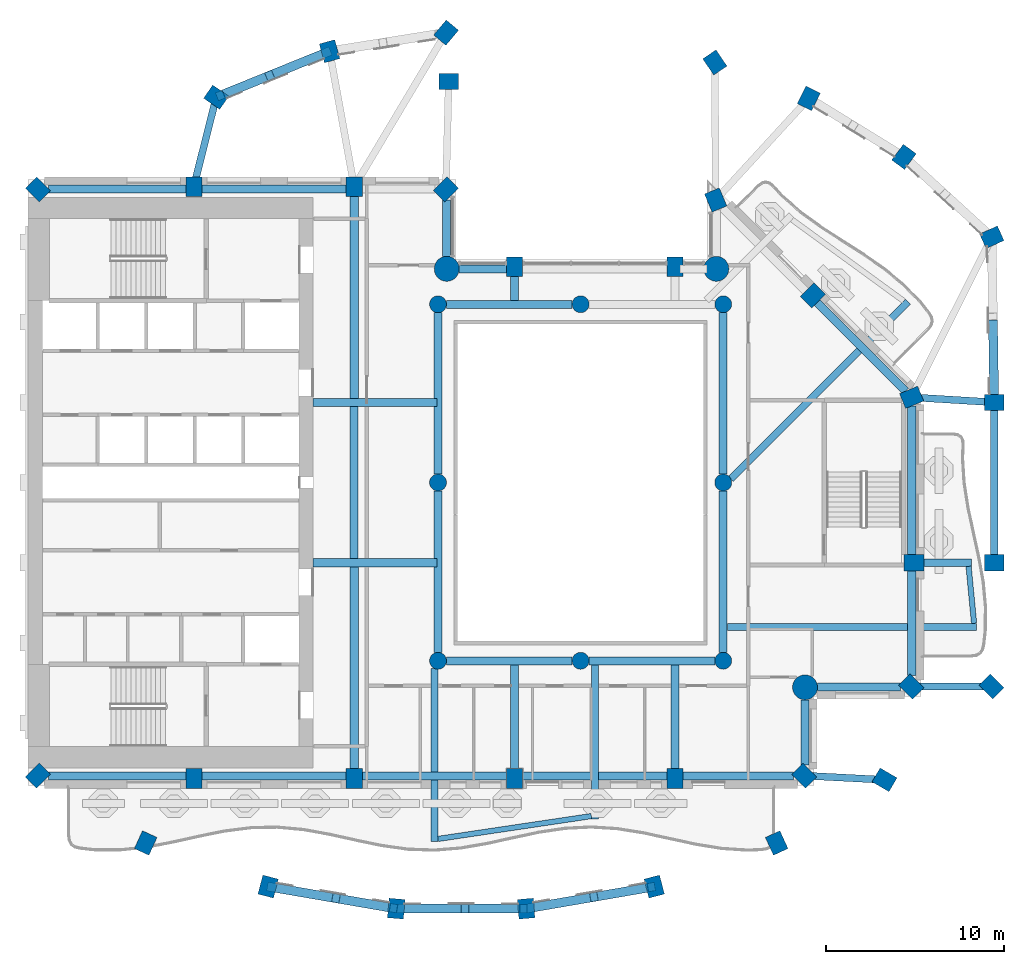
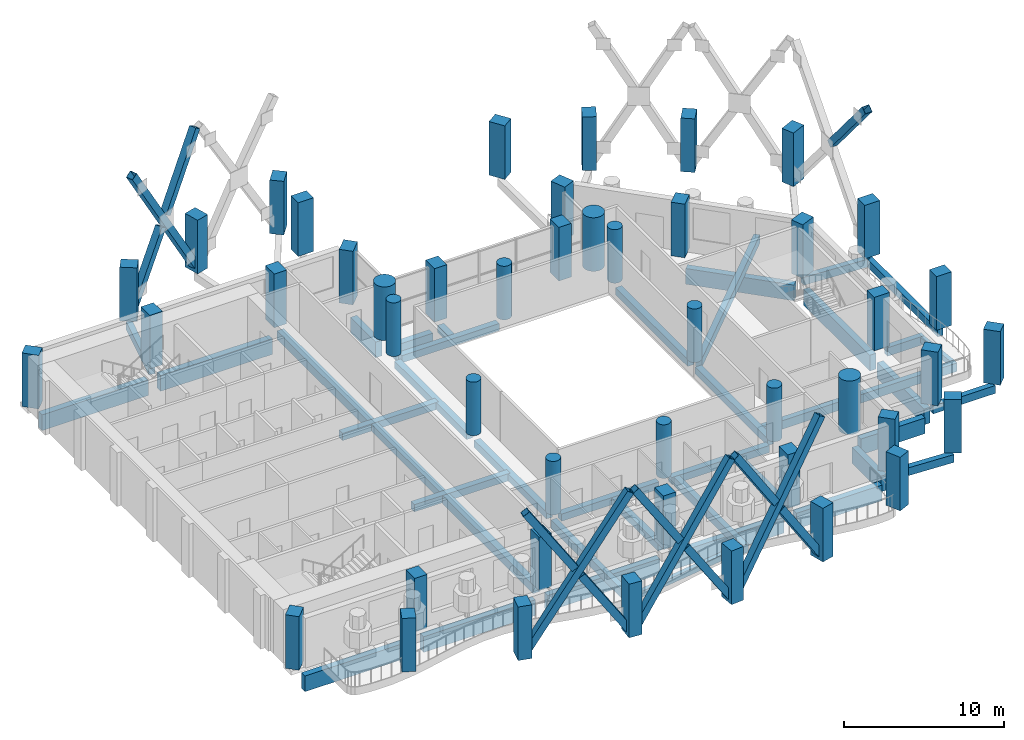
# One storey, part 1 of 16: 46 columns, 41 beams, 13 members.
"""IFC4 building model written with IfcOpenShell, lengths in metres."""

from ifc_helpers import new_model, si_unit, direction, frame, origin, origin_2d, place, context, subcontext, project, spatial, rectangle, hollow_rectangle, circle, extrude, material, material_profile, profile_set, type_object, element, save


model = new_model("IFC4")

# Units and contexts
model_context = context("Model", 3, precision=1e-05, world=origin(), true_north=direction((0.0, 1.0)))
body_context = subcontext(model_context, "Body", "Model", "MODEL_VIEW")
ifc_project = project(units=[si_unit("LENGTHUNIT", "METRE"), si_unit("AREAUNIT", "SQUARE_METRE"), si_unit("VOLUMEUNIT", "CUBIC_METRE"), si_unit("PLANEANGLEUNIT", "RADIAN"), si_unit("MASSUNIT", "GRAM", prefix="KILO")], contexts=[model_context])

# Site, building, storey
site_placement = place(None, origin())
site = spatial("IfcSite", under=ifc_project, at=site_placement, CompositionType="ELEMENT")
building_placement = place(site_placement, origin())
building = spatial("IfcBuilding", under=site, at=building_placement, Name="Cypress Arch Tower", CompositionType="ELEMENT")
storey_placement = place(building_placement, frame((0.0, 0.0, 168.699951171875)))
storey = spatial("IfcBuildingStorey", under=building, at=storey_placement, Name="L36", CompositionType="ELEMENT", Elevation=168.699951171875)

# Columns
ifc_material_1 = material(Name="Concrete C70/85", Category="concrete")
ifc_material_profile_1 = material_profile(ifc_material_1, rectangle(XDim=0.89990234375, YDim=1.10009765625, at=origin_2d()), Name="RC 900x1100")
ifc_profile_set_1 = profile_set([ifc_material_profile_1], Name="Concrete C70/85")
column_type_1 = type_object("IfcColumnType", Name="Column RC 900x1100 Concrete C70/85", PredefinedType="COLUMN", material=ifc_profile_set_1)
for number, where, z_axis, x_axis, name in (
    (1, (-29.44287109375, 16.44287109375, 0.0), (0.0, 0.0, 1.0), (-0.707106781187, -0.707106781187, 0.0), "Column L36 CB00"),
    (2, (-29.44287109375, -16.44287109375, 0.0), (0.0, 0.0, 1.0), (0.707106781187, -0.707106781187, 0.0), "Column L36 CB01"),
    (3, (-20.699951171875, -16.60009765625, 0.0), (0.0, 0.0, 1.0), (1.0, 0.0, 0.0), "Column L36 CB02"),
    (4, (-11.699951171875, -16.60009765625, 0.0), (0.0, 0.0, 1.0), (1.0, 0.0, 0.0), "Column L36 CB03"),
    (5, (-2.699951171875, -16.60009765625, 0.0), (0.0, 0.0, 1.0), (1.0, 0.0, 0.0), "Column L36 CB04"),
    (6, (6.300048828125, -16.60009765625, 0.0), (0.0, 0.0, 1.0), (1.0, 0.0, 0.0), "Column L36 CB05"),
    (7, (13.54296875, -16.44287109375, 0.0), (0.0, 0.0, 1.0), (0.707106781187, 0.707106781187, 0.0), "Column L36 CB06"),
    (8, (19.54296875, -11.44287109375, 0.0), (0.0, 0.0, 1.0), (0.707106781187, 0.707106781187, 0.0), "Column L36 CB08"),
    (9, (19.699951171875, -4.5, 0.0), (0.0, 0.0, 1.0), (0.0, 1.0, 0.0), "Column L36 CB09"),
    (10, (19.569580078125, 4.7802734375, 0.0), (0.0, 0.0, 1.0), (-0.382683496864, 0.923879505795, 0.0), "Column L36 CB10"),
    (11, (14.029296875, 10.505126953125, 0.0), (0.0, 0.0, 1.0), (-0.707106781187, 0.707106781187, 0.0), "Column L36 CB11"),
    (12, (8.576171875, 15.850341796875, 0.0), (0.0, 0.0, 1.0), (-0.923879672772, -0.382683093746, 0.0), "Column L36 CB12"),
    (13, (6.300048828125, 12.10009765625, 0.0), (0.0, 0.0, 1.0), (-1.0, 0.0, 0.0), "Column L36 CB14"),
    (14, (-2.699951171875, 12.10009765625, 0.0), (0.0, 0.0, 1.0), (-1.0, 0.0, 0.0), "Column L36 CB15"),
    (15, (-6.55712890625, 16.44287109375, 0.0), (0.0, 0.0, 1.0), (-0.707106781187, 0.707106781187, 0.0), "Column L36 CB17"),
    (16, (-11.699951171875, 16.60009765625, 0.0), (0.0, 0.0, 1.0), (-1.0, 0.0, 0.0), "Column L36 CB18"),
    (17, (-20.699951171875, 16.60009765625, 0.0), (0.0, 0.0, 1.0), (-1.0, 0.0, 0.0), "Column L36 CB19"),
    (18, (8.53076171875, 23.564697265625, 0.0), (0.0, 0.0, 1.0), (-0.828469606019, -0.560034027451, 0.0), "Column L36 CQ00"),
    (19, (-6.39990234375, 22.5, 0.0), (0.0, 0.0, 1.0), (0.0, 1.0, 0.0), "Column L36 CQ01"),
    (20, (-6.54833984375, 25.236572265625, 0.0), (0.0, 0.0, 1.0), (-0.766063514674, 0.642764880407, 0.0), "Column L36 CQ02"),
    (21, (-13.081298828125, 24.193359375, 0.0), (0.0, 0.0, 1.0), (-0.96345574646, -0.267867550506, 0.0), "Column L36 CQ03"),
    (22, (-19.44189453125, 21.616943359375, 0.0), (0.0, 0.0, 1.0), (-0.565892599589, -0.824478966215, 0.0), "Column L36 CQ04"),
    (23, (-23.398193359375, -20.221435546875, 0.0), (0.0, 0.0, 1.0), (0.909932071487, -0.414757308891, 0.0), "Column L36 CQ05"),
    (24, (-16.529052734375, -22.666259765625, 0.0), (0.0, 0.0, 1.0), (0.96735573689, -0.2534223319, 0.0), "Column L36 CQ06"),
    (25, (-9.3427734375, -23.903564453125, 0.0), (0.0, 0.0, 1.0), (0.996368206733, -0.085149260784, 0.0), "Column L36 CQ07"),
    (26, (-2.057373046875, -23.903564453125, 0.0), (0.0, 0.0, 1.0), (0.996368206733, 0.085149260784, 0.0), "Column L36 CQ08"),
    (27, (5.12890625, -22.666259765625, 0.0), (0.0, 0.0, 1.0), (0.96735573689, 0.2534223319, 0.0), "Column L36 CQ09"),
    (28, (11.998291015625, -20.221435546875, 0.0), (0.0, 0.0, 1.0), (0.909932071487, 0.414757308891, 0.0), "Column L36 CQ10"),
    (29, (18.048095703125, -16.677490234375, 0.0), (0.0, 0.0, 1.0), (0.504399289829, 0.86347053014, 0.0), "Column L36 CQ11"),
    (30, (24.04296875, -11.44287109375, 0.0), (0.0, 0.0, 1.0), (0.707106781187, 0.707106781187, 0.0), "Column L36 CQ12"),
    (31, (24.199951171875, -4.5, 0.0), (0.0, 0.0, 1.0), (0.0, 1.0, 0.0), "Column L36 CQ13"),
    (32, (24.199951171875, 4.5, 0.0), (0.0, 0.0, 1.0), (0.0, 1.0, 0.0), "Column L36 CQ14"),
    (33, (24.06396484375, 13.75927734375, 0.0), (0.0, 0.0, 1.0), (-0.409765058504, 0.912191096662, 0.0), "Column L36 CQ15"),
    (34, (19.13818359375, 18.267578125, 0.0), (0.0, 0.0, 1.0), (-0.802798546114, 0.596250362144, 0.0), "Column L36 CQ16"),
    (35, (13.80322265625, 21.549072265625, 0.0), (0.0, 0.0, 1.0), (-0.893106499805, 0.44984528452, 0.0), "Column L36 CQ17"),
):
    element("IfcColumn", number, at=place(storey_placement, frame(where, z_axis=z_axis, x_axis=x_axis)), inside=storey, type_object=column_type_1, Name=name, PredefinedType="COLUMN", context=body_context, shape_type="SweptSolid", body=[
        extrude(rectangle(XDim=0.89990234375, YDim=1.10009765625, at=origin_2d()), origin(), (0.0, 0.0, 1.0), 4.10009765625),
    ])
ifc_material_2 = material(Name="Concrete C70/85", Category="concrete")
ifc_material_profile_2 = material_profile(ifc_material_2, circle(Radius=0.47509765625, at=origin_2d()), Name="RC D950")
ifc_profile_set_2 = profile_set([ifc_material_profile_2], Name="Concrete C70/85")
column_type_2 = type_object("IfcColumnType", Name="Column RC D950 Concrete C70/85", PredefinedType="COLUMN", material=ifc_profile_set_2)
for number, where, z_axis, x_axis, name in (
    (36, (-7.0, -10.0, 0.0), (0.0, 0.0, 1.0), (1.0, 0.0, 0.0), "Column L36 RNG-L36-G-7-10"),
    (37, (-7.0, 0.0, 0.0), (0.0, 0.0, 1.0), (1.0, 0.0, 0.0), "Column L36 RNG-L36-G-7+0"),
    (38, (-7.0, 10.0, 0.0), (0.0, 0.0, 1.0), (1.0, 0.0, 0.0), "Column L36 RNG-L36-G-7+10"),
    (39, (1.0, -10.0, 0.0), (0.0, 0.0, 1.0), (1.0, 0.0, 0.0), "Column L36 RNG-L36-G+1-10"),
    (40, (1.0, 10.0, 0.0), (0.0, 0.0, 1.0), (1.0, 0.0, 0.0), "Column L36 RNG-L36-G+1+10"),
    (41, (9.0, -10.0, 0.0), (0.0, 0.0, 1.0), (1.0, 0.0, 0.0), "Column L36 RNG-L36-G+9-10"),
    (42, (9.0, 0.0, 0.0), (0.0, 0.0, 1.0), (1.0, 0.0, 0.0), "Column L36 RNG-L36-G+9+0"),
    (43, (9.0, 10.0, 0.0), (0.0, 0.0, 1.0), (1.0, 0.0, 0.0), "Column L36 RNG-L36-G+9+10"),
):
    element("IfcColumn", number, at=place(storey_placement, frame(where, z_axis=z_axis, x_axis=x_axis)), inside=storey, type_object=column_type_2, Name=name, PredefinedType="COLUMN", context=body_context, shape_type="SweptSolid", body=[
        extrude(circle(Radius=0.47509765625, at=origin_2d()), origin(), (0.0, 0.0, 1.0), 4.10009765625),
    ])
ifc_material_3 = material(Name="Concrete C70/85", Category="concrete")
ifc_material_profile_3 = material_profile(ifc_material_3, circle(Radius=0.699951171875, at=origin_2d()), Name="RC D1400")
ifc_profile_set_3 = profile_set([ifc_material_profile_3], Name="Concrete C70/85")
column_type_3 = type_object("IfcColumnType", Name="Mega-column RC D1400 Concrete C70/85", PredefinedType="COLUMN", material=ifc_profile_set_3)
for number, where, z_axis, x_axis, name in (
    (44, (13.587890625, -11.48779296875, 0.0), (0.0, 0.0, 1.0), (1.0, 0.0, 0.0), "Column L36 CB07"),
    (45, (8.612060546875, 11.98779296875, 0.0), (0.0, 0.0, 1.0), (1.0, 0.0, 0.0), "Column L36 CB13"),
    (46, (-6.51220703125, 11.98779296875, 0.0), (0.0, 0.0, 1.0), (1.0, 0.0, 0.0), "Column L36 CB16"),
):
    element("IfcColumn", number, at=place(storey_placement, frame(where, z_axis=z_axis, x_axis=x_axis)), inside=storey, type_object=column_type_3, Name=name, PredefinedType="COLUMN", context=body_context, shape_type="SweptSolid", body=[
        extrude(circle(Radius=0.699951171875, at=origin_2d()), origin(), (0.0, 0.0, 1.0), 4.10009765625),
    ])

# Beams
ifc_material_4 = material(Name="Concrete C50/60", Category="concrete")
ifc_material_profile_4 = material_profile(ifc_material_4, rectangle(XDim=0.300048828125, YDim=0.39990234375, at=origin_2d()), Name="RC 300x400")
ifc_profile_set_4 = profile_set([ifc_material_profile_4], Name="Concrete C50/60")
beam_type_1 = type_object("IfcBeamType", Name="Balcony edge beam RC 300x400 Concrete C50/60", PredefinedType="BEAM", material=ifc_profile_set_4)
beam_1_placement = place(storey_placement, frame((23.0712890625, -7.89990234375, -0.5), z_axis=(-0.095464943941, 0.995432792547, 0.0), x_axis=(-0.995432792547, -0.095464943941, 0.0)))
element("IfcBeam", 47, at=beam_1_placement, inside=storey, type_object=beam_type_1, Name="Balcony edge beam L36 B04", PredefinedType="BEAM", context=body_context, shape_type="SweptSolid", body=[
    extrude(rectangle(XDim=0.300048828125, YDim=0.39990234375, at=origin_2d()), origin(), (0.0, 0.0, 1.0), 3.214599609375),
])
ifc_material_5 = material(Name="Concrete C50/60", Category="concrete")
ifc_material_profile_5 = material_profile(ifc_material_5, rectangle(XDim=0.300048828125, YDim=0.449951171875, at=origin_2d()), Name="RC 300x450")
ifc_profile_set_5 = profile_set([ifc_material_profile_5], Name="Concrete C50/60")
beam_type_2 = type_object("IfcBeamType", Name="Balcony edge beam RC 300x450 Concrete C50/60", PredefinedType="BEAM", material=ifc_profile_set_5)
beam_2_placement = place(storey_placement, frame((-7.0, -19.992431640625, -0.52490234375), z_axis=(0.989079642952, 0.147382020265, 0.0), x_axis=(-0.147382020265, 0.989079642952, 0.0)))
element("IfcBeam", 48, at=beam_2_placement, inside=storey, type_object=beam_type_2, Name="Balcony edge beam L36 B01", PredefinedType="BEAM", context=body_context, shape_type="SweptSolid", body=[
    extrude(rectangle(XDim=0.300048828125, YDim=0.449951171875, at=origin_2d()), origin(), (0.0, 0.0, 1.0), 8.695068359375),
])
ifc_material_6 = material(Name="Concrete C50/60", Category="concrete")
ifc_material_profile_6 = material_profile(ifc_material_6, rectangle(XDim=0.39990234375, YDim=0.64990234375, at=origin_2d()), Name="RC 400x650")
ifc_profile_set_6 = profile_set([ifc_material_profile_6], Name="Concrete C50/60")
beam_type_3 = type_object("IfcBeamType", Name="Cantilever beam RC 400x650 Concrete C50/60", PredefinedType="BEAM", material=ifc_profile_set_6)
beam_3_placement = place(storey_placement, frame((-7.199951171875, -10.4306640625, -0.625), z_axis=(0.0, -1.0, 0.0), x_axis=(1.0, 0.0, 0.0)))
element("IfcBeam", 49, at=beam_3_placement, inside=storey, type_object=beam_type_3, Name="Cantilever beam L36 B01 1", PredefinedType="BEAM", context=body_context, shape_type="SweptSolid", body=[
    extrude(rectangle(XDim=0.39990234375, YDim=0.64990234375, at=origin_2d()), origin(), (0.0, 0.0, 1.0), 9.7119140625),
])
beam_4_placement = place(storey_placement, frame((1.800048828125, -10.22509765625, -0.625), z_axis=(0.0, -1.0, 0.0), x_axis=(1.0, 0.0, 0.0)))
element("IfcBeam", 50, at=beam_4_placement, inside=storey, type_object=beam_type_3, Name="Cantilever beam L36 B01 2", PredefinedType="BEAM", context=body_context, shape_type="SweptSolid", body=[
    extrude(rectangle(XDim=0.39990234375, YDim=0.64990234375, at=origin_2d()), origin(), (0.0, 0.0, 1.0), 8.6357421875),
])
beam_5_placement = place(storey_placement, frame((9.22509765625, -8.10009765625, -0.625), z_axis=(1.0, 0.0, 0.0), x_axis=(0.0, 1.0, 0.0)))
element("IfcBeam", 51, at=beam_5_placement, inside=storey, type_object=beam_type_3, Name="Cantilever beam L36 B04 1", PredefinedType="BEAM", context=body_context, shape_type="SweptSolid", body=[
    extrude(rectangle(XDim=0.39990234375, YDim=0.64990234375, at=origin_2d()), origin(), (0.0, 0.0, 1.0), 13.99609375),
])
beam_6_placement = place(storey_placement, frame((20.25, -4.5, -0.625), z_axis=(1.0, 0.0, 0.0), x_axis=(0.0, 1.0, 0.0)))
element("IfcBeam", 52, at=beam_6_placement, inside=storey, type_object=beam_type_3, Name="Cantilever beam L36 B04 2", PredefinedType="BEAM", context=body_context, shape_type="SweptSolid", body=[
    extrude(rectangle(XDim=0.39990234375, YDim=0.64990234375, at=origin_2d()), origin(), (0.0, 0.0, 1.0), 2.66455078125),
])
beam_7_placement = place(storey_placement, frame((9.4287109375, 0.204345703125, -0.625), z_axis=(0.707106781187, 0.707106781187, 0.0), x_axis=(-0.707106781187, 0.707106781187, 0.0)))
element("IfcBeam", 53, at=beam_7_placement, inside=storey, type_object=beam_type_3, Name="Cantilever beam L36 B05 1", PredefinedType="BEAM", context=body_context, shape_type="SweptSolid", body=[
    extrude(rectangle(XDim=0.39990234375, YDim=0.64990234375, at=origin_2d()), origin(), (0.0, 0.0, 1.0), 14.061279296875),
])

# Members
ifc_material_7 = material(Name="Steel ASTM A500 Grade C", Category="steel")
ifc_material_profile_7 = material_profile(ifc_material_7, hollow_rectangle(XDim=0.508056640625, YDim=0.508056640625, WallThickness=0.017578125, at=origin_2d()), Name="HSS 20x20x3/4")
ifc_profile_set_7 = profile_set([ifc_material_profile_7], Name="Steel ASTM A500 Grade C")
member_type = type_object("IfcMemberType", Name="Exoskeleton brace HSS 20x20x3/4 Steel ASTM A500 Grade C", PredefinedType="BRACE", material=ifc_profile_set_7)
member_1_placement = place(storey_placement, frame((-13.226806640625, 24.13427734375, 0.25390625), z_axis=(-0.487398996973, -0.197419142906, 0.850569162246), x_axis=(0.375419205313, -0.926855123675, 0.0)))
element("IfcMember", 54, at=member_1_placement, inside=storey, type_object=member_type, Name="Exoskeleton brace L36 CQ03-CQ04a", PredefinedType="BRACE", context=body_context, shape_type="SweptSolid", body=[
    extrude(hollow_rectangle(XDim=0.508056640625, YDim=0.508056640625, WallThickness=0.017578125, at=origin_2d()), origin(), (0.0, 0.0, 1.0), 12.288818359375),
])
member_2_placement = place(storey_placement, frame((-13.226806640625, 24.13427734375, 10.84619140625), z_axis=(-0.48270643109, -0.195493802202, -0.853684177366), x_axis=(0.375378569734, -0.926871581927, 0.0)))
element("IfcMember", 55, at=member_2_placement, inside=storey, type_object=member_type, Name="Exoskeleton brace L36 CQ03-CQ04b1", PredefinedType="BRACE", context=body_context, shape_type="SweptSolid", body=[
    extrude(hollow_rectangle(XDim=0.508056640625, YDim=0.508056640625, WallThickness=0.017578125, at=origin_2d()), origin(), (0.0, 0.0, 1.0), 5.83203125),
])
member_3_placement = place(storey_placement, frame((-19.21630859375, 21.708251953125, 0.393798828125), z_axis=(0.492178617926, 0.199375004692, 0.847354598477), x_axis=(-0.375451388539, 0.926842087329, 0.0)))
element("IfcMember", 56, at=member_3_placement, inside=storey, type_object=member_type, Name="Exoskeleton brace L36 CQ03-CQ04b2", PredefinedType="BRACE", context=body_context, shape_type="SweptSolid", body=[
    extrude(hollow_rectangle(XDim=0.508056640625, YDim=0.508056640625, WallThickness=0.017578125, at=origin_2d()), origin(), (0.0, 0.0, 1.0), 5.636474609375),
])
member_4_placement = place(storey_placement, frame((-16.371826171875, -22.693115234375, 0.24267578125), z_axis=(0.541092669505, -0.093193735319, 0.835783255818), x_axis=(0.169733395085, 0.9854900175, 0.0)))
element("IfcMember", 57, at=member_4_placement, inside=storey, type_object=member_type, Name="Exoskeleton brace L36 CQ06-CQ07a", PredefinedType="BRACE", context=body_context, shape_type="SweptSolid", body=[
    extrude(hollow_rectangle(XDim=0.508056640625, YDim=0.508056640625, WallThickness=0.017578125, at=origin_2d()), origin(), (0.0, 0.0, 1.0), 12.700439453125),
])
for number, where, z_axis, x_axis, name in (
    (58, (-16.371826171875, -22.693115234375, 10.857421875), (0.541088154541, -0.093210601293, -0.835784298023), (0.169764603538, 0.985484641882, 0.0), "Exoskeleton brace L36 CQ06-CQ07b1"),
    (59, (-9.499755859375, -23.876708984375, 0.24267578125), (-0.541088154541, 0.093210601293, 0.835784298023), (-0.169764603538, -0.985484641882, 0.0), "Exoskeleton brace L36 CQ06-CQ07b2"),
):
    element("IfcMember", number, at=place(storey_placement, frame(where, z_axis=z_axis, x_axis=x_axis)), inside=storey, type_object=member_type, Name=name, PredefinedType="BRACE", context=body_context, shape_type="SweptSolid", body=[
        extrude(hollow_rectangle(XDim=0.508056640625, YDim=0.508056640625, WallThickness=0.017578125, at=origin_2d()), origin(), (0.0, 0.0, 1.0), 5.964111328125),
    ])
member_5_placement = place(storey_placement, frame((-9.183349609375, -23.903564453125, 0.24267578125), z_axis=(0.548704321507, 0.0, 0.836016487612), x_axis=(0.0, 1.0, 0.0)))
element("IfcMember", 60, at=member_5_placement, inside=storey, type_object=member_type, Name="Exoskeleton brace L36 CQ07-CQ08a", PredefinedType="BRACE", context=body_context, shape_type="SweptSolid", body=[
    extrude(hollow_rectangle(XDim=0.508056640625, YDim=0.508056640625, WallThickness=0.017578125, at=origin_2d()), origin(), (0.0, 0.0, 1.0), 12.69677734375),
])
member_6_placement = place(storey_placement, frame((-9.183349609375, -23.903564453125, 10.857421875), z_axis=(0.548685064029, 0.0, -0.836029126593), x_axis=(0.0, 1.0, 0.0)))
element("IfcMember", 61, at=member_6_placement, inside=storey, type_object=member_type, Name="Exoskeleton brace L36 CQ07-CQ08b1", PredefinedType="BRACE", context=body_context, shape_type="SweptSolid", body=[
    extrude(hollow_rectangle(XDim=0.508056640625, YDim=0.508056640625, WallThickness=0.017578125, at=origin_2d()), origin(), (0.0, 0.0, 1.0), 5.9619140625),
])
member_7_placement = place(storey_placement, frame((-2.216552734375, -23.903564453125, 0.24267578125), z_axis=(-0.548713684642, 0.0, 0.836010342213), x_axis=(0.0, -1.0, 0.0)))
element("IfcMember", 62, at=member_7_placement, inside=storey, type_object=member_type, Name="Exoskeleton brace L36 CQ07-CQ08b2", PredefinedType="BRACE", context=body_context, shape_type="SweptSolid", body=[
    extrude(hollow_rectangle(XDim=0.508056640625, YDim=0.508056640625, WallThickness=0.017578125, at=origin_2d()), origin(), (0.0, 0.0, 1.0), 5.962158203125),
])
member_8_placement = place(storey_placement, frame((-1.900146484375, -23.876708984375, 0.24267578125), z_axis=(0.541092669505, 0.093193735319, 0.835783255818), x_axis=(-0.169733395085, 0.9854900175, 0.0)))
element("IfcMember", 63, at=member_8_placement, inside=storey, type_object=member_type, Name="Exoskeleton brace L36 CQ08-CQ09a", PredefinedType="BRACE", context=body_context, shape_type="SweptSolid", body=[
    extrude(hollow_rectangle(XDim=0.508056640625, YDim=0.508056640625, WallThickness=0.017578125, at=origin_2d()), origin(), (0.0, 0.0, 1.0), 12.700439453125),
])
for number, where, z_axis, x_axis, name in (
    (64, (-1.900146484375, -23.876708984375, 10.857421875), (0.541088154541, 0.093210601293, -0.835784298023), (-0.169764603538, 0.985484641882, 0.0), "Exoskeleton brace L36 CQ08-CQ09b1"),
    (65, (4.971923828125, -22.693115234375, 0.24267578125), (-0.541088154541, -0.093210601293, 0.835784298023), (0.169764603538, -0.985484641882, 0.0), "Exoskeleton brace L36 CQ08-CQ09b2"),
):
    element("IfcMember", number, at=place(storey_placement, frame(where, z_axis=z_axis, x_axis=x_axis)), inside=storey, type_object=member_type, Name=name, PredefinedType="BRACE", context=body_context, shape_type="SweptSolid", body=[
        extrude(hollow_rectangle(XDim=0.508056640625, YDim=0.508056640625, WallThickness=0.017578125, at=origin_2d()), origin(), (0.0, 0.0, 1.0), 5.964111328125),
    ])
member_9_placement = place(storey_placement, frame((24.197509765625, 4.675048828125, 10.890380859375), z_axis=(-0.009394565825, 0.638830476121, -0.769290169515), x_axis=(-0.999891886048, -0.014704292442, 0.0)))
element("IfcMember", 66, at=member_9_placement, inside=storey, type_object=member_type, Name="Exoskeleton brace L36 CQ14-CQ15b1", PredefinedType="BRACE", context=body_context, shape_type="SweptSolid", body=[
    extrude(hollow_rectangle(XDim=0.508056640625, YDim=0.508056640625, WallThickness=0.017578125, at=origin_2d()), origin(), (0.0, 0.0, 1.0), 6.65283203125),
])

# Beams
ifc_material_8 = material(Name="Concrete C50/60", Category="concrete")
ifc_material_profile_8 = material_profile(ifc_material_8, rectangle(XDim=0.449951171875, YDim=0.550048828125, at=origin_2d()), Name="RC 450x550")
ifc_profile_set_8 = profile_set([ifc_material_profile_8], Name="Concrete C50/60")
beam_type_4 = type_object("IfcBeamType", Name="Floor beam RC 450x550 Concrete C50/60", PredefinedType="BEAM", material=ifc_profile_set_8)
for number, where, z_axis, x_axis, name in (
    (67, (-7.0, -9.52490234375, -0.574951171875), (0.0, 1.0, 0.0), (-1.0, 0.0, 0.0), "Floor beam L36 RB001"),
    (68, (-7.0, 0.47509765625, -0.574951171875), (0.0, 1.0, 0.0), (-1.0, 0.0, 0.0), "Floor beam L36 RB002"),
    (69, (9.0, -9.52490234375, -0.574951171875), (0.0, 1.0, 0.0), (-1.0, 0.0, 0.0), "Floor beam L36 RB003"),
    (70, (9.0, 0.47509765625, -0.574951171875), (0.0, 1.0, 0.0), (-1.0, 0.0, 0.0), "Floor beam L36 RB004"),
):
    element("IfcBeam", number, at=place(storey_placement, frame(where, z_axis=z_axis, x_axis=x_axis)), inside=storey, type_object=beam_type_4, Name=name, PredefinedType="BEAM", context=body_context, shape_type="SweptSolid", body=[
        extrude(rectangle(XDim=0.449951171875, YDim=0.550048828125, at=origin_2d()), origin(), (0.0, 0.0, 1.0), 9.0498046875),
    ])
for number, where, z_axis, x_axis, name in (
    (71, (-6.52490234375, -10.0, -0.574951171875), (1.0, 0.0, 0.0), (0.0, 1.0, 0.0), "Floor beam L36 RB005"),
    (72, (1.47509765625, -10.0, -0.574951171875), (1.0, 0.0, 0.0), (0.0, 1.0, 0.0), "Floor beam L36 RB006"),
    (73, (-6.52490234375, 10.0, -0.574951171875), (1.0, 0.0, 0.0), (0.0, 1.0, 0.0), "Floor beam L36 RB007"),
):
    element("IfcBeam", number, at=place(storey_placement, frame(where, z_axis=z_axis, x_axis=x_axis)), inside=storey, type_object=beam_type_4, Name=name, PredefinedType="BEAM", context=body_context, shape_type="SweptSolid", body=[
        extrude(rectangle(XDim=0.449951171875, YDim=0.550048828125, at=origin_2d()), origin(), (0.0, 0.0, 1.0), 7.0498046875),
    ])
for number, where, z_axis, x_axis, name in (
    (74, (-14.0, -4.5, -0.574951171875), (1.0, 0.0, 0.0), (0.0, 1.0, 0.0), "Floor beam L36 FB009"),
    (75, (-14.0, 4.5, -0.574951171875), (1.0, 0.0, 0.0), (0.0, 1.0, 0.0), "Floor beam L36 FB010"),
):
    element("IfcBeam", number, at=place(storey_placement, frame(where, z_axis=z_axis, x_axis=x_axis)), inside=storey, type_object=beam_type_4, Name=name, PredefinedType="BEAM", context=body_context, shape_type="SweptSolid", body=[
        extrude(rectangle(XDim=0.449951171875, YDim=0.550048828125, at=origin_2d()), origin(), (0.0, 0.0, 1.0), 6.949951171875),
    ])
beam_8_placement = place(storey_placement, frame((-11.699951171875, -4.27490234375, -0.574951171875), z_axis=(0.0, 1.0, 0.0), x_axis=(-1.0, 0.0, 0.0)))
element("IfcBeam", 76, at=beam_8_placement, inside=storey, type_object=beam_type_4, Name="Floor beam L36 FB012", PredefinedType="BEAM", context=body_context, shape_type="SweptSolid", body=[
    extrude(rectangle(XDim=0.449951171875, YDim=0.550048828125, at=origin_2d()), origin(), (0.0, 0.0, 1.0), 8.5498046875),
])
beam_9_placement = place(storey_placement, frame((-2.699951171875, -16.050048828125, -0.574951171875), z_axis=(0.0, 1.0, 0.0), x_axis=(-1.0, 0.0, 0.0)))
element("IfcBeam", 77, at=beam_9_placement, inside=storey, type_object=beam_type_4, Name="Floor beam L36 FB014", PredefinedType="BEAM", context=body_context, shape_type="SweptSolid", body=[
    extrude(rectangle(XDim=0.449951171875, YDim=0.550048828125, at=origin_2d()), origin(), (0.0, 0.0, 1.0), 5.824951171875),
])
beam_10_placement = place(storey_placement, frame((-2.699951171875, 10.22509765625, -0.574951171875), z_axis=(0.0, 1.0, 0.0), x_axis=(-1.0, 0.0, 0.0)))
element("IfcBeam", 78, at=beam_10_placement, inside=storey, type_object=beam_type_4, Name="Floor beam L36 FB015", PredefinedType="BEAM", context=body_context, shape_type="SweptSolid", body=[
    extrude(rectangle(XDim=0.449951171875, YDim=0.550048828125, at=origin_2d()), origin(), (0.0, 0.0, 1.0), 1.324951171875),
])
beam_11_placement = place(storey_placement, frame((6.300048828125, -16.050048828125, -0.574951171875), z_axis=(0.0, 1.0, 0.0), x_axis=(-1.0, 0.0, 0.0)))
element("IfcBeam", 79, at=beam_11_placement, inside=storey, type_object=beam_type_4, Name="Floor beam L36 FB016", PredefinedType="BEAM", context=body_context, shape_type="SweptSolid", body=[
    extrude(rectangle(XDim=0.449951171875, YDim=0.550048828125, at=origin_2d()), origin(), (0.0, 0.0, 1.0), 5.824951171875),
])
ifc_material_9 = material(Name="Concrete C50/60", Category="concrete")
ifc_material_profile_9 = material_profile(ifc_material_9, rectangle(XDim=0.5, YDim=0.64990234375, at=origin_2d()), Name="RC 500x650")
ifc_profile_set_9 = profile_set([ifc_material_profile_9], Name="Concrete C50/60")
beam_type_5 = type_object("IfcBeamType", Name="Floor beam RC 500x650 Concrete C50/60", PredefinedType="BEAM", material=ifc_profile_set_9)
for number, where, z_axis, x_axis, name in (
    (80, (-11.699951171875, -16.050048828125, -0.625), (0.0, 1.0, 0.0), (-1.0, 0.0, 0.0), "Floor beam L36 FB011"),
    (81, (-11.699951171875, 4.72509765625, -0.625), (0.0, 1.0, 0.0), (-1.0, 0.0, 0.0), "Floor beam L36 FB013"),
):
    element("IfcBeam", number, at=place(storey_placement, frame(where, z_axis=z_axis, x_axis=x_axis)), inside=storey, type_object=beam_type_5, Name=name, PredefinedType="BEAM", context=body_context, shape_type="SweptSolid", body=[
        extrude(rectangle(XDim=0.5, YDim=0.64990234375, at=origin_2d()), origin(), (0.0, 0.0, 1.0), 11.324951171875),
    ])
ifc_material_10 = material(Name="Concrete C50/60", Category="concrete")
ifc_material_profile_10 = material_profile(ifc_material_10, rectangle(XDim=0.39990234375, YDim=0.60009765625, at=origin_2d()), Name="RC 400x600")
ifc_profile_set_10 = profile_set([ifc_material_profile_10], Name="Concrete C50/60")
beam_type_6 = type_object("IfcBeamType", Name="Pilotis tie beam RC 400x600 Concrete C50/60", PredefinedType="BEAM", material=ifc_profile_set_10)
beam_12_placement = place(storey_placement, frame((-19.44189453125, 21.616943359375, -0.599853515625), z_axis=(-0.243235271871, -0.969967320335, 0.0), x_axis=(0.969967320335, -0.243235271871, 0.0)))
element("IfcBeam", 82, at=beam_12_placement, inside=storey, type_object=beam_type_6, Name="Pilotis tie beam L36 CQ04-CB19", PredefinedType="BEAM", context=body_context, shape_type="SweptSolid", body=[
    extrude(rectangle(XDim=0.39990234375, YDim=0.60009765625, at=origin_2d()), origin(), (0.0, 0.0, 1.0), 5.172119140625),
])
beam_13_placement = place(storey_placement, frame((18.048095703125, -16.677490234375, -0.599853515625), z_axis=(-0.998646679968, 0.052007774316, 0.0), x_axis=(-0.052007774316, -0.998646679968, 0.0)))
element("IfcBeam", 83, at=beam_13_placement, inside=storey, type_object=beam_type_6, Name="Pilotis tie beam L36 CQ11-CB06", PredefinedType="BEAM", context=body_context, shape_type="SweptSolid", body=[
    extrude(rectangle(XDim=0.39990234375, YDim=0.60009765625, at=origin_2d()), origin(), (0.0, 0.0, 1.0), 4.51123046875),
])
beam_14_placement = place(storey_placement, frame((24.04296875, -11.44287109375, -0.599853515625), z_axis=(-1.0, 0.0, 0.0), x_axis=(0.0, -1.0, 0.0)))
element("IfcBeam", 84, at=beam_14_placement, inside=storey, type_object=beam_type_6, Name="Pilotis tie beam L36 CQ12-CB08", PredefinedType="BEAM", context=body_context, shape_type="SweptSolid", body=[
    extrude(rectangle(XDim=0.39990234375, YDim=0.60009765625, at=origin_2d()), origin(), (0.0, 0.0, 1.0), 4.5),
])
beam_15_placement = place(storey_placement, frame((24.199951171875, 4.5, -0.599853515625), z_axis=(0.0, -1.0, 0.0), x_axis=(1.0, 0.0, 0.0)))
element("IfcBeam", 85, at=beam_15_placement, inside=storey, type_object=beam_type_6, Name="Pilotis tie beam L36 CQ14-CQ13", PredefinedType="BEAM", context=body_context, shape_type="SweptSolid", body=[
    extrude(rectangle(XDim=0.39990234375, YDim=0.60009765625, at=origin_2d()), origin(), (0.0, 0.0, 1.0), 9.0),
])
beam_16_placement = place(storey_placement, frame((24.199951171875, 4.5, -0.599853515625), z_axis=(-0.998173116263, 0.060418788225, 0.0), x_axis=(-0.060418788225, -0.998173116263, 0.0)))
element("IfcBeam", 86, at=beam_16_placement, inside=storey, type_object=beam_type_6, Name="Pilotis tie beam L36 CQ14-CB10", PredefinedType="BEAM", context=body_context, shape_type="SweptSolid", body=[
    extrude(rectangle(XDim=0.39990234375, YDim=0.60009765625, at=origin_2d()), origin(), (0.0, 0.0, 1.0), 4.638916015625),
])
ifc_material_11 = material(Name="Concrete C50/60", Category="concrete")
ifc_material_profile_11 = material_profile(ifc_material_11, rectangle(XDim=0.449951171875, YDim=1.199951171875, at=origin_2d()), Name="RC 450x1200")
ifc_profile_set_11 = profile_set([ifc_material_profile_11], Name="Concrete C50/60")
beam_type_7 = type_object("IfcBeamType", Name="Spandrel beam RC 450x1200 Concrete C50/60", PredefinedType="SPANDREL", material=ifc_profile_set_11)
beam_17_placement = place(storey_placement, frame((-28.838623046875, -16.47509765625, -1.550048828125), z_axis=(1.0, 0.0, 0.0), x_axis=(0.0, 1.0, 0.0)))
element("IfcBeam", 87, at=beam_17_placement, inside=storey, type_object=beam_type_7, Name="Spandrel beam L36 BB01-0", PredefinedType="SPANDREL", context=body_context, shape_type="SweptSolid", body=[
    extrude(rectangle(XDim=0.449951171875, YDim=1.199951171875, at=origin_2d()), origin(), (0.0, 0.0, 1.0), 7.688720703125),
])
for number, where, z_axis, x_axis, name in (
    (88, (-20.25, -16.47509765625, -1.550048828125), (1.0, 0.0, 0.0), (0.0, 1.0, 0.0), "Spandrel beam L36 BB01-1"),
    (89, (-11.25, -16.47509765625, -1.550048828125), (1.0, 0.0, 0.0), (0.0, 1.0, 0.0), "Spandrel beam L36 BB01-2"),
    (90, (-2.25, -16.47509765625, -1.550048828125), (1.0, 0.0, 0.0), (0.0, 1.0, 0.0), "Spandrel beam L36 BB01-3"),
):
    element("IfcBeam", number, at=place(storey_placement, frame(where, z_axis=z_axis, x_axis=x_axis)), inside=storey, type_object=beam_type_7, Name=name, PredefinedType="SPANDREL", context=body_context, shape_type="SweptSolid", body=[
        extrude(rectangle(XDim=0.449951171875, YDim=1.199951171875, at=origin_2d()), origin(), (0.0, 0.0, 1.0), 8.10009765625),
    ])
beam_18_placement = place(storey_placement, frame((6.75, -16.47509765625, -1.550048828125), z_axis=(1.0, 0.0, 0.0), x_axis=(0.0, 1.0, 0.0)))
element("IfcBeam", 91, at=beam_18_placement, inside=storey, type_object=beam_type_7, Name="Spandrel beam L36 BB01-4", PredefinedType="SPANDREL", context=body_context, shape_type="SweptSolid", body=[
    extrude(rectangle(XDim=0.449951171875, YDim=1.199951171875, at=origin_2d()), origin(), (0.0, 0.0, 1.0), 6.188720703125),
])
beam_19_placement = place(storey_placement, frame((13.574951171875, -15.838623046875, -1.550048828125), z_axis=(0.0, 1.0, 0.0), x_axis=(-1.0, 0.0, 0.0)))
element("IfcBeam", 92, at=beam_19_placement, inside=storey, type_object=beam_type_7, Name="Spandrel beam L36 BB02-0", PredefinedType="SPANDREL", context=body_context, shape_type="SweptSolid", body=[
    extrude(rectangle(XDim=0.449951171875, YDim=1.199951171875, at=origin_2d()), origin(), (0.0, 0.0, 1.0), 3.651123046875),
])
beam_20_placement = place(storey_placement, frame((14.28759765625, -11.47509765625, -1.550048828125), z_axis=(1.0, 0.0, 0.0), x_axis=(0.0, 1.0, 0.0)))
element("IfcBeam", 93, at=beam_20_placement, inside=storey, type_object=beam_type_7, Name="Spandrel beam L36 BB03-0", PredefinedType="SPANDREL", context=body_context, shape_type="SweptSolid", body=[
    extrude(rectangle(XDim=0.449951171875, YDim=1.199951171875, at=origin_2d()), origin(), (0.0, 0.0, 1.0), 4.651123046875),
])
beam_21_placement = place(storey_placement, frame((19.574951171875, -10.838623046875, -1.550048828125), z_axis=(0.0, 1.0, 0.0), x_axis=(-1.0, 0.0, 0.0)))
element("IfcBeam", 94, at=beam_21_placement, inside=storey, type_object=beam_type_7, Name="Spandrel beam L36 BB04-0", PredefinedType="SPANDREL", context=body_context, shape_type="SweptSolid", body=[
    extrude(rectangle(XDim=0.449951171875, YDim=1.199951171875, at=origin_2d()), origin(), (0.0, 0.0, 1.0), 5.888671875),
])
beam_22_placement = place(storey_placement, frame((19.574951171875, -4.050048828125, -1.550048828125), z_axis=(0.0, 1.0, 0.0), x_axis=(-1.0, 0.0, 0.0)))
element("IfcBeam", 95, at=beam_22_placement, inside=storey, type_object=beam_type_7, Name="Spandrel beam L36 BB04-1", PredefinedType="SPANDREL", context=body_context, shape_type="SweptSolid", body=[
    extrude(rectangle(XDim=0.449951171875, YDim=1.199951171875, at=origin_2d()), origin(), (0.0, 0.0, 1.0), 8.345458984375),
])
beam_23_placement = place(storey_placement, frame((19.23046875, 5.126953125, -1.550048828125), z_axis=(-0.707106781187, 0.707106781187, 0.0), x_axis=(-0.707106781187, -0.707106781187, 0.0)))
element("IfcBeam", 96, at=beam_23_placement, inside=storey, type_object=beam_type_7, Name="Spandrel beam L36 BB05-0", PredefinedType="SPANDREL", context=body_context, shape_type="SweptSolid", body=[
    extrude(rectangle(XDim=0.449951171875, YDim=1.199951171875, at=origin_2d()), origin(), (0.0, 0.0, 1.0), 7.03076171875),
])
beam_24_placement = place(storey_placement, frame((-3.14990234375, 11.97509765625, -1.550048828125), z_axis=(-1.0, 0.0, 0.0), x_axis=(0.0, -1.0, 0.0)))
element("IfcBeam", 97, at=beam_24_placement, inside=storey, type_object=beam_type_7, Name="Spandrel beam L36 BB07-2", PredefinedType="SPANDREL", context=body_context, shape_type="SweptSolid", body=[
    extrude(rectangle(XDim=0.449951171875, YDim=1.199951171875, at=origin_2d()), origin(), (0.0, 0.0, 1.0), 2.66259765625),
])
beam_25_placement = place(storey_placement, frame((-6.52490234375, 12.6875, -1.550048828125), z_axis=(0.0, 1.0, 0.0), x_axis=(-1.0, 0.0, 0.0)))
element("IfcBeam", 98, at=beam_25_placement, inside=storey, type_object=beam_type_7, Name="Spandrel beam L36 BB08-0", PredefinedType="SPANDREL", context=body_context, shape_type="SweptSolid", body=[
    extrude(rectangle(XDim=0.449951171875, YDim=1.199951171875, at=origin_2d()), origin(), (0.0, 0.0, 1.0), 3.151123046875),
])
beam_26_placement = place(storey_placement, frame((-12.14990234375, 16.47509765625, -1.550048828125), z_axis=(-1.0, 0.0, 0.0), x_axis=(0.0, -1.0, 0.0)))
element("IfcBeam", 99, at=beam_26_placement, inside=storey, type_object=beam_type_7, Name="Spandrel beam L36 BB09-1", PredefinedType="SPANDREL", context=body_context, shape_type="SweptSolid", body=[
    extrude(rectangle(XDim=0.449951171875, YDim=1.199951171875, at=origin_2d()), origin(), (0.0, 0.0, 1.0), 8.10009765625),
])
beam_27_placement = place(storey_placement, frame((-21.14990234375, 16.47509765625, -1.550048828125), z_axis=(-1.0, 0.0, 0.0), x_axis=(0.0, -1.0, 0.0)))
element("IfcBeam", 100, at=beam_27_placement, inside=storey, type_object=beam_type_7, Name="Spandrel beam L36 BB09-2", PredefinedType="SPANDREL", context=body_context, shape_type="SweptSolid", body=[
    extrude(rectangle(XDim=0.449951171875, YDim=1.199951171875, at=origin_2d()), origin(), (0.0, 0.0, 1.0), 7.688720703125),
])

save(model, "model.ifc")
